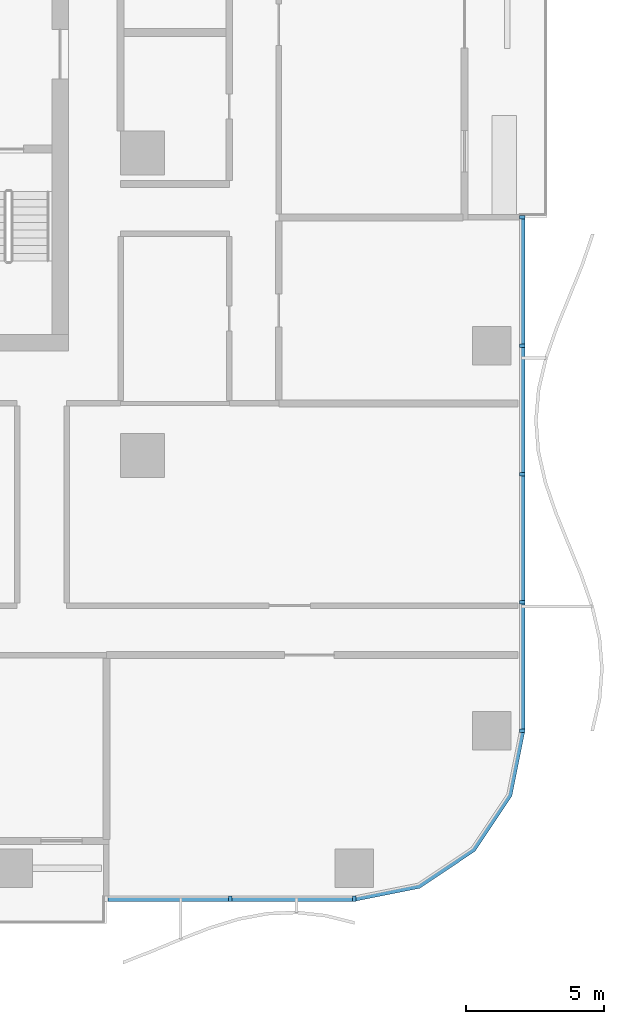
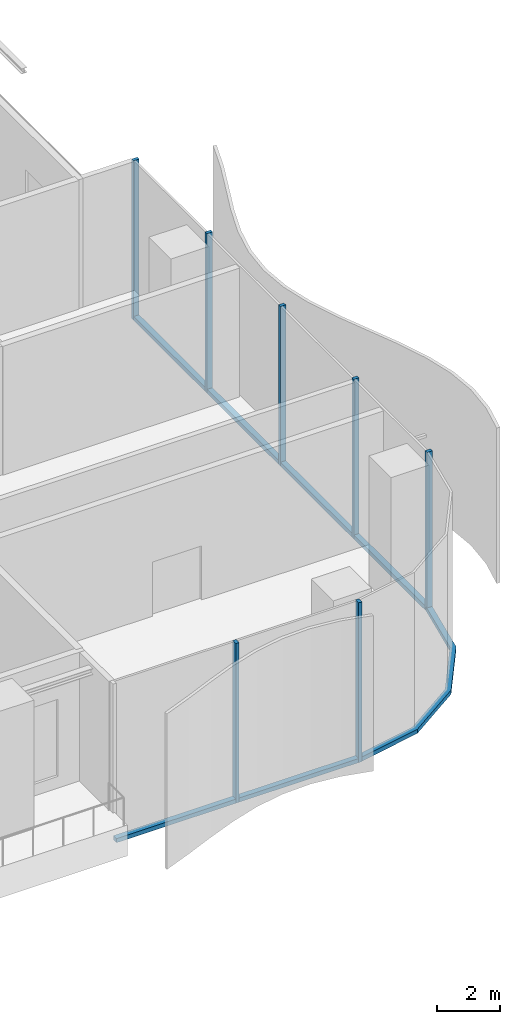
# One storey, part 3 of 21: 14 members, 3 elements without a shape of their own.
"""IFC4 building model written with IfcOpenShell, lengths in metres."""

from ifc_helpers import new_model, si_unit, direction, frame, origin, origin_2d, place, context, subcontext, project, spatial, polyline, rectangle, outline, extrude, material, material_profile, profile_set, type_object, element, aggregate, save


model = new_model("IFC4")

# Units and contexts
model_context = context("Model", 3, precision=1e-05, world=origin(), true_north=direction((0.0, 1.0)))
body_context = subcontext(model_context, "Body", "Model", "MODEL_VIEW")
ifc_project = project(units=[si_unit("LENGTHUNIT", "METRE"), si_unit("AREAUNIT", "SQUARE_METRE"), si_unit("VOLUMEUNIT", "CUBIC_METRE"), si_unit("PLANEANGLEUNIT", "RADIAN"), si_unit("MASSUNIT", "GRAM", prefix="KILO")], contexts=[model_context])

# Site, building, storey
site_placement = place(None, origin())
site = spatial("IfcSite", under=ifc_project, at=site_placement, CompositionType="ELEMENT")
building_placement = place(site_placement, origin())
building = spatial("IfcBuilding", under=site, at=building_placement, Name="Mopane Tessera Tower", CompositionType="ELEMENT")
storey_placement = place(building_placement, frame((0.0, 0.0, 9.0)))
storey = spatial("IfcBuildingStorey", under=building, at=storey_placement, Name="L01", CompositionType="ELEMENT", Elevation=9.0)

# Curtain wall, members
ifc_material_1 = material(Name="Aluminium frame", Category="aluminium")
curtain_wall_type = type_object("IfcCurtainWallType", Name="Podium unitised wall", PredefinedType="NOTDEFINED", material=ifc_material_1)
curtain_wall_1_placement = place(storey_placement, origin())
curtain_wall_1 = element("IfcCurtainWall", 1, at=curtain_wall_1_placement, inside=storey, type_object=curtain_wall_type, Name="e:cw:L01:S:9", PredefinedType="NOTDEFINED")
ifc_material_2 = material(Name="Aluminium frame", Category="aluminium")
ifc_material_profile_1 = material_profile(ifc_material_2, rectangle(XDim=0.125, YDim=0.199951171875, at=origin_2d()))
ifc_profile_set_1 = profile_set([ifc_material_profile_1], Name="Aluminium frame")
member_type_1 = type_object("IfcMemberType", Name="Aluminium mullion 125 x 200", PredefinedType="MULLION", material=ifc_profile_set_1)
member_1_placement = place(storey_placement, frame((20.291015625, -27.10009765625, -1.199951171875), z_axis=(0.0, 0.0, 1.0), x_axis=(1.0, 0.0, 0.0)))
member_1 = element("IfcMember", 2, at=member_1_placement, type_object=member_type_1, Name="e:cw:L01:S:9:mu10", PredefinedType="MULLION", context=body_context, shape_type="SweptSolid", body=[
    extrude(rectangle(XDim=0.125, YDim=0.199951171875, at=origin_2d()), origin(), (0.0, 0.0, 1.0), 6.199951171875),
])
member_2_placement = place(storey_placement, frame((24.800048828125, -27.10009765625, -1.199951171875), z_axis=(0.0, 0.0, 1.0), x_axis=(1.0, 0.0, 0.0)))
member_2 = element("IfcMember", 3, at=member_2_placement, type_object=member_type_1, Name="e:cw:L01:S:9:mu11", PredefinedType="MULLION", context=body_context, shape_type="SweptSolid", body=[
    extrude(rectangle(XDim=0.125, YDim=0.199951171875, at=origin_2d()), origin(), (0.0, 0.0, 1.0), 6.199951171875),
])

curtain_wall_2_placement = place(storey_placement, origin())
curtain_wall_2 = element("IfcCurtainWall", 4, at=curtain_wall_2_placement, inside=storey, type_object=curtain_wall_type, Name="e:cw:L01:E:0", PredefinedType="NOTDEFINED")
member_3_placement = place(storey_placement, frame((30.89990234375, -21.0, -1.199951171875), z_axis=(0.0, 0.0, 1.0), x_axis=(0.0, 1.0, 0.0)))
member_3 = element("IfcMember", 5, at=member_3_placement, type_object=member_type_1, Name="e:cw:L01:E:0:mu0", PredefinedType="MULLION", context=body_context, shape_type="SweptSolid", body=[
    extrude(rectangle(XDim=0.125, YDim=0.199951171875, at=origin_2d()), origin(), (0.0, 0.0, 1.0), 6.199951171875),
])
member_4_placement = place(storey_placement, frame((30.89990234375, -16.333251953125, -1.199951171875), z_axis=(0.0, 0.0, 1.0), x_axis=(0.0, 1.0, 0.0)))
member_4 = element("IfcMember", 6, at=member_4_placement, type_object=member_type_1, Name="e:cw:L01:E:0:mu1", PredefinedType="MULLION", context=body_context, shape_type="SweptSolid", body=[
    extrude(rectangle(XDim=0.125, YDim=0.199951171875, at=origin_2d()), origin(), (0.0, 0.0, 1.0), 6.199951171875),
])
member_5_placement = place(storey_placement, frame((30.89990234375, -11.666748046875, -1.199951171875), z_axis=(0.0, 0.0, 1.0), x_axis=(0.0, 1.0, 0.0)))
member_5 = element("IfcMember", 7, at=member_5_placement, type_object=member_type_1, Name="e:cw:L01:E:0:mu2", PredefinedType="MULLION", context=body_context, shape_type="SweptSolid", body=[
    extrude(rectangle(XDim=0.125, YDim=0.199951171875, at=origin_2d()), origin(), (0.0, 0.0, 1.0), 6.199951171875),
])
member_6_placement = place(storey_placement, frame((30.89990234375, -7.0, -1.199951171875), z_axis=(0.0, 0.0, 1.0), x_axis=(0.0, 1.0, 0.0)))
member_6 = element("IfcMember", 8, at=member_6_placement, type_object=member_type_1, Name="e:cw:L01:E:0:mu3", PredefinedType="MULLION", context=body_context, shape_type="SweptSolid", body=[
    extrude(rectangle(XDim=0.125, YDim=0.199951171875, at=origin_2d()), origin(), (0.0, 0.0, 1.0), 6.199951171875),
])
member_7_placement = place(storey_placement, frame((30.89990234375, -2.333251953125, -1.199951171875), z_axis=(0.0, 0.0, 1.0), x_axis=(0.0, 1.0, 0.0)))
member_7 = element("IfcMember", 9, at=member_7_placement, type_object=member_type_1, Name="e:cw:L01:E:0:mu4", PredefinedType="MULLION", context=body_context, shape_type="SweptSolid", body=[
    extrude(rectangle(XDim=0.125, YDim=0.199951171875, at=origin_2d()), origin(), (0.0, 0.0, 1.0), 6.199951171875),
])

# Member
ifc_material_3 = material(Name="Aluminium frame", Category="aluminium")
ifc_material_profile_2 = material_profile(ifc_material_3, rectangle(XDim=0.199951171875, YDim=0.159912109375, at=origin_2d()))
ifc_profile_set_2 = profile_set([ifc_material_profile_2], Name="Aluminium frame")
member_type_2 = type_object("IfcMemberType", Name="Aluminium transom 200 x 160", PredefinedType="USERDEFINED", material=ifc_profile_set_2)
member_8_placement = place(storey_placement, frame((15.84423828125, -27.10009765625, -1.1201171875), z_axis=(1.0, 0.0, 0.0), x_axis=(0.0, 1.0, 0.0)))
member_8 = element("IfcMember", 10, at=member_8_placement, type_object=member_type_2, Name="e:cw:L01:S:9:tr9", ObjectType="TRANSOM", PredefinedType="USERDEFINED", context=body_context, shape_type="SweptSolid", body=[
    extrude(rectangle(XDim=0.199951171875, YDim=0.159912109375, at=origin_2d()), origin(), (0.0, 0.0, 1.0), 4.38427734375),
])

member_9_placement = place(storey_placement, frame((20.353515625, -27.10009765625, -1.1201171875), z_axis=(1.0, 0.0, 0.0), x_axis=(0.0, 1.0, 0.0)))
member_9 = element("IfcMember", 11, at=member_9_placement, type_object=member_type_2, Name="e:cw:L01:S:9:tr10", ObjectType="TRANSOM", PredefinedType="USERDEFINED", context=body_context, shape_type="SweptSolid", body=[
    extrude(rectangle(XDim=0.199951171875, YDim=0.159912109375, at=origin_2d()), origin(), (0.0, 0.0, 1.0), 4.384033203125),
])

aggregate(curtain_wall_1, [member_1, member_2, member_8, member_9])

# Curtain wall, member
curtain_wall_3_placement = place(storey_placement, origin())
curtain_wall_3 = element("IfcCurtainWall", 12, at=curtain_wall_3_placement, inside=storey, type_object=curtain_wall_type, Name="e:cw:L01:CS", PredefinedType="NOTDEFINED")
member_10_placement = place(storey_placement, frame((0.0, 0.0, -1.199951171875)))
member_10 = element("IfcMember", 13, at=member_10_placement, type_object=member_type_2, Name="e:cw:L01:CS:tr", ObjectType="TRANSOM", PredefinedType="USERDEFINED", context=body_context, shape_type="SweptSolid", body=[
    extrude(outline(polyline([(24.800048828125, -27.0), (27.09619140625, -26.543212890625), (29.042724609375, -25.24267578125), (30.34326171875, -23.296142578125), (30.800048828125, -21.0), (31.0, -21.0), (30.528076171875, -23.37255859375), (29.18408203125, -25.384033203125), (27.172607421875, -26.72802734375), (24.800048828125, -27.199951171875), (24.800048828125, -27.0)])), origin(), (0.0, 0.0, 1.0), 0.159912109375),
])
aggregate(curtain_wall_3, [member_10])

# Member
member_11_placement = place(storey_placement, frame((30.89990234375, -20.9375, -1.1201171875), z_axis=(0.0, 1.0, 0.0), x_axis=(-1.0, 0.0, 0.0)))
member_11 = element("IfcMember", 14, at=member_11_placement, type_object=member_type_2, Name="e:cw:L01:E:0:tr0", ObjectType="TRANSOM", PredefinedType="USERDEFINED", context=body_context, shape_type="SweptSolid", body=[
    extrude(rectangle(XDim=0.199951171875, YDim=0.159912109375, at=origin_2d()), origin(), (0.0, 0.0, 1.0), 4.541748046875),
])

member_12_placement = place(storey_placement, frame((30.89990234375, -16.270751953125, -1.1201171875), z_axis=(0.0, 1.0, 0.0), x_axis=(-1.0, 0.0, 0.0)))
member_12 = element("IfcMember", 15, at=member_12_placement, type_object=member_type_2, Name="e:cw:L01:E:0:tr1", ObjectType="TRANSOM", PredefinedType="USERDEFINED", context=body_context, shape_type="SweptSolid", body=[
    extrude(rectangle(XDim=0.199951171875, YDim=0.159912109375, at=origin_2d()), origin(), (0.0, 0.0, 1.0), 4.54150390625),
])

member_13_placement = place(storey_placement, frame((30.89990234375, -11.604248046875, -1.1201171875), z_axis=(0.0, 1.0, 0.0), x_axis=(-1.0, 0.0, 0.0)))
member_13 = element("IfcMember", 16, at=member_13_placement, type_object=member_type_2, Name="e:cw:L01:E:0:tr2", ObjectType="TRANSOM", PredefinedType="USERDEFINED", context=body_context, shape_type="SweptSolid", body=[
    extrude(rectangle(XDim=0.199951171875, YDim=0.159912109375, at=origin_2d()), origin(), (0.0, 0.0, 1.0), 4.541748046875),
])

member_14_placement = place(storey_placement, frame((30.89990234375, -6.9375, -1.1201171875), z_axis=(0.0, 1.0, 0.0), x_axis=(-1.0, 0.0, 0.0)))
member_14 = element("IfcMember", 17, at=member_14_placement, type_object=member_type_2, Name="e:cw:L01:E:0:tr3", ObjectType="TRANSOM", PredefinedType="USERDEFINED", context=body_context, shape_type="SweptSolid", body=[
    extrude(rectangle(XDim=0.199951171875, YDim=0.159912109375, at=origin_2d()), origin(), (0.0, 0.0, 1.0), 4.541748046875),
])

aggregate(curtain_wall_2, [member_3, member_4, member_5, member_6, member_7, member_11, member_12, member_13, member_14])

save(model, "model.ifc")
